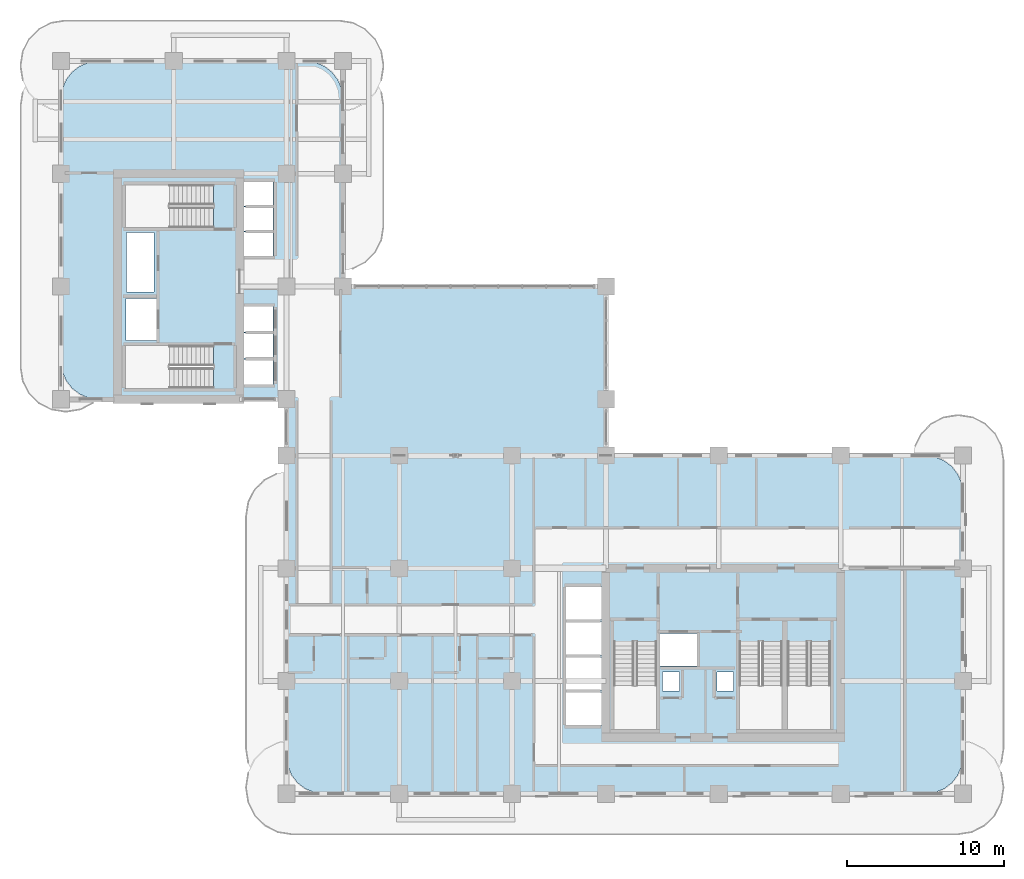
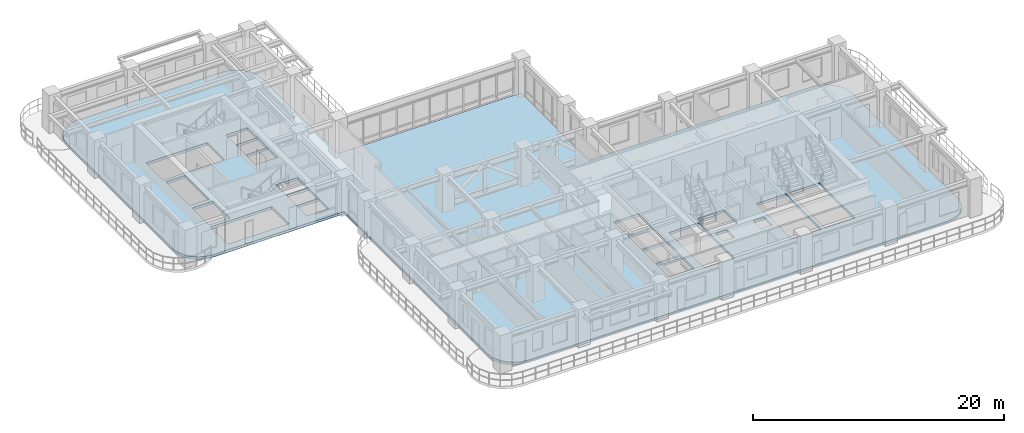
# One storey, part 8 of 21: 1 slab.
"""IFC4 building model written with IfcOpenShell, lengths in metres."""

from ifc_helpers import new_model, si_unit, derived_unit, direction, frame, origin, place, context, subcontext, project, spatial, polyline, outline, extrude, material, layer, layer_set, type_object, element, save


model = new_model("IFC4")

# Units and contexts
model_context = context("Model", 3, precision=1e-05, world=origin(), true_north=direction((0.0, 1.0)))
body_context = subcontext(model_context, "Body", "Model", "MODEL_VIEW")
ifc_project = project(units=[si_unit("LENGTHUNIT", "METRE"), si_unit("AREAUNIT", "SQUARE_METRE"), si_unit("VOLUMEUNIT", "CUBIC_METRE"), si_unit("PLANEANGLEUNIT", "RADIAN"), si_unit("MASSUNIT", "GRAM", prefix="KILO"), si_unit("THERMODYNAMICTEMPERATUREUNIT", "KELVIN"), si_unit("POWERUNIT", "WATT"), derived_unit("THERMALTRANSMITTANCEUNIT", [(si_unit("POWERUNIT", "WATT"), 1), (si_unit("AREAUNIT", "SQUARE_METRE"), -1), (si_unit("THERMODYNAMICTEMPERATUREUNIT", "KELVIN"), -1)])], contexts=[model_context])

# Site, building, storey
site_placement = place(None, origin())
site = spatial("IfcSite", under=ifc_project, at=site_placement, CompositionType="ELEMENT")
building_placement = place(site_placement, origin())
building = spatial("IfcBuilding", under=site, at=building_placement, Name="Zahravan Archway Hotel and Residences", CompositionType="ELEMENT")
storey_placement = place(building_placement, frame((0.0, 0.0, 69.39990234375)))
storey = spatial("IfcBuildingStorey", under=building, at=storey_placement, Name="L16", CompositionType="ELEMENT", Elevation=69.39990234375)

# Slab
ifc_material = material(Name="Concrete C45/55", Category="concrete")
ifc_layer = layer(ifc_material, 0.25, Name="Concrete C45/55", Category="concrete")
ifc_layer_set = layer_set([ifc_layer], Name="Concrete C45/55")
slab_type = type_object("IfcSlabType", Name="SLB-FLR-250", PredefinedType="FLOOR", material=ifc_layer_set)
slab_placement = place(storey_placement, frame((0.0, 0.0, -0.25)))
element("IfcSlab", 1, at=slab_placement, inside=storey, type_object=slab_type, Name="L16 Floor Slab LB", PredefinedType="FLOOR", context=body_context, shape_type="SweptSolid", body=[
    extrude(outline(polyline([(34.800048828125, 21.60009765625), (34.800048828125, 32.39990234375), (18.0, 32.39990234375), (18.0, 44.39990234375), (17.918212890625, 45.021240234375), (17.678466796875, 45.60009765625), (17.297119140625, 46.09716796875), (16.800048828125, 46.478515625), (16.22119140625, 46.71826171875), (15.60009765625, 46.800048828125), (2.39990234375, 46.800048828125), (1.77880859375, 46.71826171875), (1.199951171875, 46.478515625), (0.702880859375, 46.09716796875), (0.321533203125, 45.60009765625), (0.081787109375, 45.021240234375), (0.0, 44.39990234375), (0.0, 27.60009765625), (0.081787109375, 26.978759765625), (0.321533203125, 26.39990234375), (0.702880859375, 25.90283203125), (1.199951171875, 25.521484375), (1.77880859375, 25.28173828125), (2.39990234375, 25.199951171875), (14.39990234375, 25.199951171875), (14.39990234375, 19.199951171875), (14.39990234375, 19.10009765625), (14.39990234375, 2.39990234375), (14.481689453125, 1.77880859375), (14.721435546875, 1.199951171875), (15.102783203125, 0.702880859375), (15.60009765625, 0.321533203125), (16.1787109375, 0.081787109375), (16.800048828125, 0.0), (55.199951171875, 0.0), (55.8212890625, 0.081787109375), (56.39990234375, 0.321533203125), (56.897216796875, 0.702880859375), (57.278564453125, 1.199951171875), (57.518310546875, 1.77880859375), (57.60009765625, 2.39990234375), (57.60009765625, 19.199951171875), (57.518310546875, 19.8212890625), (57.278564453125, 20.39990234375), (56.897216796875, 20.897216796875), (56.39990234375, 21.278564453125), (55.8212890625, 21.518310546875), (55.199951171875, 21.60009765625), (34.800048828125, 21.60009765625)]), holes=[polyline([(35.300048828125, 9.72998046875), (35.300048828125, 4.10009765625), (38.0400390625, 4.10009765625), (38.0400390625, 9.72998046875), (35.300048828125, 9.72998046875)]), polyline([(43.320068359375, 9.72998046875), (43.320068359375, 4.10009765625), (46.06005859375, 4.10009765625), (46.06005859375, 9.72998046875), (43.320068359375, 9.72998046875)]), polyline([(46.39990234375, 9.72998046875), (46.39990234375, 4.10009765625), (49.139892578125, 4.10009765625), (49.139892578125, 9.72998046875), (46.39990234375, 9.72998046875)]), polyline([(9.72998046875, 28.639892578125), (4.10009765625, 28.639892578125), (4.10009765625, 25.89990234375), (9.72998046875, 25.89990234375), (9.72998046875, 28.639892578125)]), polyline([(9.72998046875, 38.89990234375), (4.10009765625, 38.89990234375), (4.10009765625, 36.159912109375), (9.72998046875, 36.159912109375), (9.72998046875, 38.89990234375)]), polyline([(38.179931640625, 8.14990234375), (40.699951171875, 8.14990234375), (40.699951171875, 10.25), (38.179931640625, 10.25), (38.179931640625, 8.14990234375)]), polyline([(4.14990234375, 28.949951171875), (6.10009765625, 28.949951171875), (6.10009765625, 31.64990234375), (4.14990234375, 31.64990234375), (4.14990234375, 28.949951171875)]), polyline([(11.550048828125, 26.14990234375), (13.550048828125, 26.14990234375), (13.550048828125, 27.75), (11.550048828125, 27.75), (11.550048828125, 26.14990234375)]), polyline([(11.550048828125, 27.830078125), (13.550048828125, 27.830078125), (13.550048828125, 29.429931640625), (11.550048828125, 29.429931640625), (11.550048828125, 27.830078125)]), polyline([(11.550048828125, 29.510009765625), (13.550048828125, 29.510009765625), (13.550048828125, 31.110107421875), (11.550048828125, 31.110107421875), (11.550048828125, 29.510009765625)]), polyline([(11.550048828125, 34.35009765625), (13.550048828125, 34.35009765625), (13.550048828125, 35.889892578125), (11.550048828125, 35.889892578125), (11.550048828125, 34.35009765625)]), polyline([(11.550048828125, 35.949951171875), (13.550048828125, 35.949951171875), (13.550048828125, 37.489990234375), (11.550048828125, 37.489990234375), (11.550048828125, 35.949951171875)]), polyline([(11.550048828125, 37.550048828125), (13.550048828125, 37.550048828125), (13.550048828125, 39.090087890625), (11.550048828125, 39.090087890625), (11.550048828125, 37.550048828125)]), polyline([(32.25, 4.39990234375), (34.550048828125, 4.39990234375), (34.550048828125, 6.47998046875), (32.25, 6.47998046875), (32.25, 4.39990234375)]), polyline([(32.25, 6.639892578125), (34.550048828125, 6.639892578125), (34.550048828125, 8.719970703125), (32.25, 8.719970703125), (32.25, 6.639892578125)]), polyline([(32.25, 8.8798828125), (34.550048828125, 8.8798828125), (34.550048828125, 10.9599609375), (32.25, 10.9599609375), (32.25, 8.8798828125)]), polyline([(32.25, 11.1201171875), (34.550048828125, 11.1201171875), (34.550048828125, 13.199951171875), (32.25, 13.199951171875), (32.25, 11.1201171875)]), polyline([(38.419921875, 6.56005859375), (39.5, 6.56005859375), (39.5, 7.780029296875), (38.419921875, 7.780029296875), (38.419921875, 6.56005859375)]), polyline([(41.89990234375, 6.56005859375), (42.9599609375, 6.56005859375), (42.9599609375, 7.780029296875), (41.89990234375, 7.780029296875), (41.89990234375, 6.56005859375)]), polyline([(4.179931640625, 32.050048828125), (5.93994140625, 32.050048828125), (5.93994140625, 35.840087890625), (4.179931640625, 35.840087890625), (4.179931640625, 32.050048828125)])]), origin(), (0.0, 0.0, 1.0), 0.25),
])

save(model, "model.ifc")
